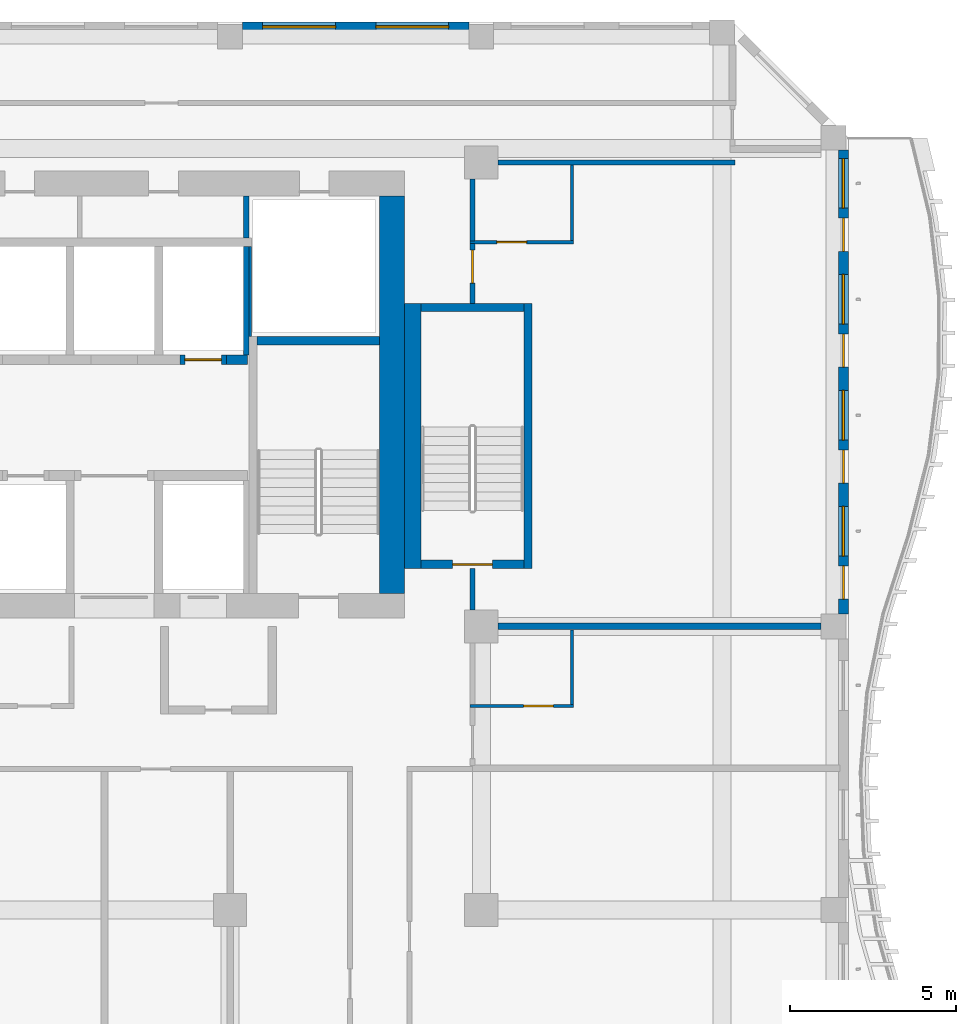
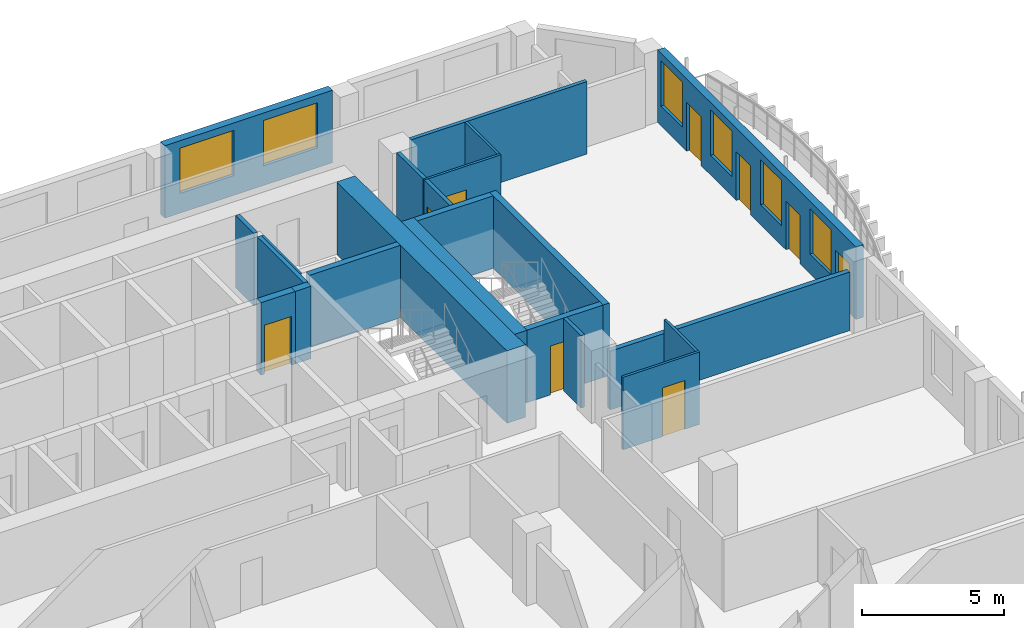
# One storey, part 9 of 22: 22 walls, 9 doors, 6 windows, 15 openings.
"""IFC4 building model written with IfcOpenShell, lengths in metres."""

import ifcopenshell
import ifcopenshell.guid

model = None  # the IFC model being written
_history = None  # IfcOwnerHistory: only IFC2X3 demands one
_inside = {}  # id of a spatial element -> (the spatial element, [elements in it])
_under = {}  # id of a project, library or spatial element -> (it, [spatial elements below it])
_declared = {}  # id of a project -> (the project, [libraries it declares])
_typed = {}  # id of a type object -> (the type object, [elements of that type])
_made_of = {}  # id of a material, layer set ... -> (it, [elements and type objects made of it])


def new_model(schema):
    """Start an empty IFC model of exactly this schema.

    Asked for "IFC4X3", IfcOpenShell would pick the latest addendum, in which some entities
    have other attributes; the version numbers below select the first issue.
    IFC2X3 requires an IfcOwnerHistory on every rooted entity: one is made here for all.
    """
    global model, _history
    if schema == "IFC4X3":
        model = ifcopenshell.file(schema_version=(4, 3, 0, 0))
    else:
        model = ifcopenshell.file(schema=schema)
    _inside.clear()
    _under.clear()
    _declared.clear()
    _typed.clear()
    _made_of.clear()
    _history = None
    if model.schema == "IFC2X3":
        org = make("IfcOrganization", Name="unknown")
        user = make(
            "IfcPersonAndOrganization",
            ThePerson=make("IfcPerson", FamilyName="unknown"),
            TheOrganization=org,
        )
        app = make(
            "IfcApplication",
            ApplicationDeveloper=org,
            Version="unknown",
            ApplicationFullName="unknown",
            ApplicationIdentifier="unknown",
        )
        _history = make(
            "IfcOwnerHistory",
            OwningUser=user,
            OwningApplication=app,
            ChangeAction="ADDED",
            CreationDate=0,
        )
    return model


def make(cls, **values):
    """One entity of the class cls with the attributes given. An attribute that is None is left unset."""
    return model.create_entity(
        cls, **{name: value for name, value in values.items() if value is not None}
    )


def rooted(cls, **values):
    """An entity with a GlobalId (a new one), such as an element, a storey or a relation."""
    return make(cls, GlobalId=ifcopenshell.guid.new(), OwnerHistory=_history, **values)


def si_unit(unit_type, name, prefix=None):
    """IfcSIUnit, for example si_unit("LENGTHUNIT", "METRE", prefix="MILLI")."""
    return make("IfcSIUnit", UnitType=unit_type, Prefix=prefix, Name=name)


def assignment(units):
    """IfcUnitAssignment: the units of a project."""
    return None if units is None else make("IfcUnitAssignment", Units=units)


def point(xyz):
    """IfcCartesianPoint."""
    return None if xyz is None else make("IfcCartesianPoint", Coordinates=xyz)


def direction(xyz):
    """IfcDirection."""
    return None if xyz is None else make("IfcDirection", DirectionRatios=xyz)


def frame(location, z_axis=None, x_axis=None):
    """IfcAxis2Placement3D, a coordinate frame: its origin and axes. An axis left out is left unset."""
    return make(
        "IfcAxis2Placement3D",
        Location=point(location),
        Axis=direction(z_axis),
        RefDirection=direction(x_axis),
    )


def frame_2d(location, x_axis=None):
    """IfcAxis2Placement2D, a coordinate frame in the plane: its origin and x axis."""
    return make(
        "IfcAxis2Placement2D", Location=point(location), RefDirection=direction(x_axis)
    )


def origin():
    """The frame at (0, 0, 0) with its axes left unset."""
    return frame((0.0, 0.0, 0.0))


def place(relative_to, where):
    """IfcLocalPlacement: puts the frame where relative to a parent placement (None: the world)."""
    return make(
        "IfcLocalPlacement", PlacementRelTo=relative_to, RelativePlacement=where
    )


def context(
    kind, dimensions, precision=None, world=None, true_north=None, identifier=None
):
    """IfcGeometricRepresentationContext, for example the 3D "Model" context."""
    return make(
        "IfcGeometricRepresentationContext",
        ContextIdentifier=identifier,
        ContextType=kind,
        CoordinateSpaceDimension=dimensions,
        Precision=precision,
        WorldCoordinateSystem=world,
        TrueNorth=true_north,
    )


def subcontext(parent, identifier, kind, view, scale=None):
    """IfcGeometricRepresentationSubContext, for example "Body" below "Model"."""
    return make(
        "IfcGeometricRepresentationSubContext",
        ContextIdentifier=identifier,
        ContextType=kind,
        ParentContext=parent,
        TargetScale=scale,
        TargetView=view,
    )


def project(units=None, contexts=None):
    """IfcProject with its units and contexts."""
    return rooted(
        "IfcProject",
        Name="project",
        RepresentationContexts=contexts,
        UnitsInContext=assignment(units),
    )


def spatial(cls, under=None, at=None, **own):
    """A site, building, storey or space (cls), placed at a placement, below another one or the project."""
    s = rooted(cls, ObjectPlacement=at, **own)
    if under is not None:
        _under.setdefault(under.id(), (under, []))[1].append(s)
    return s


def profile(cls, at=None, kind="AREA", **sizes):
    """A parametric profile (cls). Its sizes go by their IFC names, for example OverallWidth=200.0."""
    return make(cls, ProfileType=kind, Position=at, **sizes)


def rectangle(**sizes):
    """IfcRectangleProfileDef."""
    return profile("IfcRectangleProfileDef", **sizes)


def extrude(swept, where, along, depth):
    """IfcExtrudedAreaSolid: the profile swept, set in the frame where, extruded along a direction by depth."""
    return make(
        "IfcExtrudedAreaSolid",
        SweptArea=swept,
        Position=where,
        ExtrudedDirection=direction(along),
        Depth=depth,
    )


def shape(context_of_items, identifier, shape_type, items):
    """IfcShapeRepresentation: the items that make up one representation, for example the "Body"."""
    return make(
        "IfcShapeRepresentation",
        ContextOfItems=context_of_items,
        RepresentationIdentifier=identifier,
        RepresentationType=shape_type,
        Items=items,
    )


def source(mapping_origin, context_of_items, identifier, shape_type, items):
    """IfcRepresentationMap: a shape defined once, which mapped items show again and again."""
    return make(
        "IfcRepresentationMap",
        MappingOrigin=mapping_origin,
        MappedRepresentation=shape(context_of_items, identifier, shape_type, items),
    )


def transform(
    local_origin,
    x_axis=None,
    y_axis=None,
    z_axis=None,
    scale=None,
    scale2=None,
    scale3=None,
    uniform=True,
):
    """IfcCartesianTransformationOperator3D, or its non-uniform kind. x_axis, y_axis, z_axis: its Axis1, 2, 3."""
    if uniform:
        return make(
            "IfcCartesianTransformationOperator3D",
            Axis1=direction(x_axis),
            Axis2=direction(y_axis),
            LocalOrigin=point(local_origin),
            Scale=scale,
            Axis3=direction(z_axis),
        )
    return make(
        "IfcCartesianTransformationOperator3DnonUniform",
        Axis1=direction(x_axis),
        Axis2=direction(y_axis),
        LocalOrigin=point(local_origin),
        Scale=scale,
        Axis3=direction(z_axis),
        Scale2=scale2,
        Scale3=scale3,
    )


def mapped(mapping_source, mapping_target):
    """IfcMappedItem: shows the shape of a source again, moved by a transform."""
    return make(
        "IfcMappedItem", MappingSource=mapping_source, MappingTarget=mapping_target
    )


def material(Name=None, Category=None):
    """IfcMaterial."""
    return make("IfcMaterial", Name=Name, Category=Category)


def layer(
    of_material, thickness, ventilated=None, Name=None, Category=None, Priority=None
):
    """IfcMaterialLayer: one layer of a wall or slab, of a material (None: an air gap)."""
    return make(
        "IfcMaterialLayer",
        Material=of_material,
        LayerThickness=thickness,
        IsVentilated=ventilated,
        Name=Name,
        Category=Category,
        Priority=Priority,
    )


def layer_set(layers, Name=None):
    """IfcMaterialLayerSet."""
    return make("IfcMaterialLayerSet", MaterialLayers=layers, LayerSetName=Name)


def made_of(thing, what):
    """Note that an element or type object is made of a material, layer set ...; save() writes the relation."""
    if what is not None:
        _made_of.setdefault(what.id(), (what, []))[1].append(thing)
    return thing


def type_object(cls, material=None, **own):
    """A type object (cls), such as IfcWallType, which elements share."""
    return made_of(rooted(cls, **own), material)


def element(
    cls,
    number,
    at=None,
    inside=None,
    cuts=None,
    type_object=None,
    material=None,
    context=None,
    identifier="Body",
    shape_type=None,
    held_by="IfcProductDefinitionShape",
    body=None,
    shapes=None,
    **own,
):
    """One element of the class cls, such as IfcWall. Its Tag is "e" and its number.

    at: its placement. inside: the storey or other place that contains it. cuts: it is an
    opening in that element (IfcRelVoidsElement). A single representation is given by context,
    identifier, shape_type and body (its items); several are given by shapes. held_by: the class
    of the entity that holds the representations. save() writes the other relations.
    """
    e = rooted(cls, Tag="e%d" % number, ObjectPlacement=at, **own)
    if body is not None:
        shapes = [shape(context, identifier, shape_type, body)]
    if shapes is not None:
        e.Representation = make(held_by, Representations=shapes)
    if inside is not None:
        _inside.setdefault(inside.id(), (inside, []))[1].append(e)
    if cuts is not None:
        rooted(
            "IfcRelVoidsElement", RelatingBuildingElement=cuts, RelatedOpeningElement=e
        )
    if type_object is not None:
        _typed.setdefault(type_object.id(), (type_object, []))[1].append(e)
    return made_of(e, material)


def fill(opening, filler):
    """IfcRelFillsElement: the door or window that sits in an opening."""
    return rooted(
        "IfcRelFillsElement",
        RelatingOpeningElement=opening,
        RelatedBuildingElement=filler,
    )


def aggregate(whole, parts):
    """IfcRelAggregates: a whole, such as a stair, and the parts it consists of."""
    return rooted("IfcRelAggregates", RelatingObject=whole, RelatedObjects=parts)


def save(model, path):
    """Write the relations noted so far, then the file.

    IfcRelAggregates (storeys below a building ...), IfcRelContainedInSpatialStructure (elements
    in a storey), IfcRelDefinesByType, IfcRelAssociatesMaterial and IfcRelDeclares: one each for
    every whole, place, type object, material and project.
    """
    for whole, parts in _under.values():
        aggregate(whole, parts)
    for where, things in _inside.values():
        rooted(
            "IfcRelContainedInSpatialStructure",
            RelatedElements=things,
            RelatingStructure=where,
        )
    for kind, things in _typed.values():
        rooted("IfcRelDefinesByType", RelatedObjects=things, RelatingType=kind)
    for what, things in _made_of.values():
        rooted("IfcRelAssociatesMaterial", RelatedObjects=things, RelatingMaterial=what)
    for by, libraries in _declared.values():
        rooted("IfcRelDeclares", RelatingContext=by, RelatedDefinitions=libraries)
    model.write(path)


model = new_model("IFC4")

# Units and contexts
model_context = context("Model", 3, precision=1e-05, world=origin(), true_north=direction((0.0, 1.0)))
body_context = subcontext(model_context, "Body", "Model", "MODEL_VIEW")
ifc_project = project(units=[si_unit("LENGTHUNIT", "METRE"), si_unit("AREAUNIT", "SQUARE_METRE"), si_unit("VOLUMEUNIT", "CUBIC_METRE"), si_unit("PLANEANGLEUNIT", "RADIAN"), si_unit("MASSUNIT", "GRAM", prefix="KILO")], contexts=[model_context])

# Site, building, storey
site_placement = place(None, origin())
site = spatial("IfcSite", under=ifc_project, at=site_placement, CompositionType="ELEMENT")
building_placement = place(site_placement, origin())
building = spatial("IfcBuilding", under=site, at=building_placement, Name="Kilnfold Tower and Market Hall", CompositionType="ELEMENT")
storey_placement = place(building_placement, frame((0.0, 0.0, 213.5)))
storey = spatial("IfcBuildingStorey", under=building, at=storey_placement, Name="L52", CompositionType="ELEMENT", Elevation=213.5)

# Wall, opening, door
ifc_material_1 = material(Name="Gypsum board on steel studs", Category="steel")
ifc_layer_1 = layer(ifc_material_1, 0.14990234375)
ifc_layer_set_1 = layer_set([ifc_layer_1], Name="Gypsum board on steel studs")
wall_type_1 = type_object("IfcWallType", Name="WALL CORRIDOR 150", PredefinedType="PARTITIONING", material=ifc_layer_set_1)
wall_1_placement = place(storey_placement, frame((19.89990234375, 17.75, 0.0), z_axis=(0.0, 0.0, 1.0), x_axis=(0.0, 1.0, 0.0)))
wall_1 = element("IfcWall", 1, at=wall_1_placement, inside=storey, type_object=wall_type_1, Name="Partition LY31.20", PredefinedType="PARTITIONING", context=body_context, shape_type="SweptSolid", body=[
    extrude(rectangle(XDim=1.81005859375, YDim=0.14990234375, at=frame_2d((0.905029296875, 0.0))), origin(), (0.0, 0.0, 1.0), 3.1201171875),
])
opening_1_placement = place(wall_1_placement, frame((0.610107421875, 0.0, 0.0)))
opening_1 = element("IfcOpeningElement", 2, at=opening_1_placement, cuts=wall_1, Name="Opening D1", PredefinedType="OPENING", context=body_context, shape_type="SweptSolid", body=[
    extrude(rectangle(XDim=1.0, YDim=2.10009765625, at=frame_2d((0.5, 1.050048828125))), frame((0.0, 0.0849609375, 0.0), z_axis=(0.0, -1.0, 0.0), x_axis=(1.0, 0.0, 0.0)), (0.0, 0.0, 1.0), 0.169921875),
])
ifc_material_2 = material(Name="Timber veneer door leaf in steel frame", Category="steel")
door_type_1 = type_object("IfcDoorType", Name="DOOR ENTRY 1000 X2100", OperationType="NOTDEFINED", PredefinedType="DOOR", material=ifc_material_2)
door_1_placement = place(opening_1_placement, origin())
door_1 = element("IfcDoor", 3, at=door_1_placement, inside=storey, type_object=door_type_1, Name="Door D1", OperationType="SINGLE_SWING_LEFT", OverallHeight=2.10009765625, OverallWidth=1.0, PredefinedType="DOOR", context=body_context, shape_type="SweptSolid", body=[
    extrude(rectangle(XDim=1.0, YDim=2.10009765625, at=frame_2d((0.5, 1.050048828125))), frame((0.0, 0.02490234375, 0.0), z_axis=(0.0, -1.0, 0.0), x_axis=(1.0, 0.0, 0.0)), (0.0, 0.0, 1.0), 0.050048828125),
])
fill(opening_1, door_1)

# Walls
wall_2_placement = place(storey_placement, frame((19.89990234375, 8.5, 0.0), z_axis=(0.0, 0.0, 1.0), x_axis=(0.0, 1.0, 0.0)))
element("IfcWall", 4, at=wall_2_placement, inside=storey, type_object=wall_type_1, Name="Partition LY31.21", PredefinedType="PARTITIONING", context=body_context, shape_type="SweptSolid", body=[
    extrude(rectangle(XDim=1.25, YDim=0.14990234375, at=frame_2d((0.625, 0.0))), origin(), (0.0, 0.0, 1.0), 3.1201171875),
])
wall_3_placement = place(storey_placement, frame((20.6669921875, 22.0, 0.0), z_axis=(0.0, 0.0, 1.0), x_axis=(1.0, 0.0, 0.0)))
element("IfcWall", 5, at=wall_3_placement, inside=storey, type_object=wall_type_1, Name="Partition LY31.22", PredefinedType="PARTITIONING", context=body_context, shape_type="SweptSolid", body=[
    extrude(rectangle(XDim=7.157958984375, YDim=0.14990234375, at=frame_2d((3.5791015625, 0.0))), origin(), (0.0, 0.0, 1.0), 3.1201171875),
])
wall_4_placement = place(storey_placement, frame((19.89990234375, 19.639892578125, 0.0), z_axis=(0.0, 0.0, 1.0), x_axis=(0.0, 1.0, 0.0)))
element("IfcWall", 6, at=wall_4_placement, inside=storey, type_object=wall_type_1, Name="Partition LY31.23", PredefinedType="PARTITIONING", context=body_context, shape_type="SweptSolid", body=[
    extrude(rectangle(XDim=1.860107421875, YDim=0.14990234375, at=frame_2d((0.93017578125, 0.0))), origin(), (0.0, 0.0, 1.0), 3.1201171875),
])

# Wall, opening, door
ifc_material_3 = material(Name="Gypsum board on steel studs", Category="steel")
ifc_layer_2 = layer(ifc_material_3, 0.10009765625)
ifc_layer_set_2 = layer_set([ifc_layer_2], Name="Gypsum board on steel studs")
wall_type_2 = type_object("IfcWallType", Name="WALL PARTITION 100", PredefinedType="PARTITIONING", material=ifc_layer_set_2)
wall_5_placement = place(storey_placement, frame((22.951904296875, 5.60009765625, 0.0), z_axis=(0.0, 0.0, 1.0), x_axis=(-1.0, 0.0, 0.0)))
wall_5 = element("IfcWall", 7, at=wall_5_placement, inside=storey, type_object=wall_type_2, Name="Partition LY31.85", PredefinedType="PARTITIONING", context=body_context, shape_type="SweptSolid", body=[
    extrude(rectangle(XDim=3.125, YDim=0.10009765625, at=frame_2d((1.5625, 0.0))), origin(), (0.0, 0.0, 1.0), 3.1201171875),
])
opening_2_placement = place(wall_5_placement, frame((0.60595703125, 0.0, 0.0)))
opening_2 = element("IfcOpeningElement", 8, at=opening_2_placement, cuts=wall_5, Name="Opening D3", PredefinedType="OPENING", context=body_context, shape_type="SweptSolid", body=[
    extrude(rectangle(XDim=0.89990234375, YDim=2.10009765625, at=frame_2d((0.449951171875, 1.050048828125))), frame((0.0, 0.06005859375, 0.0), z_axis=(0.0, -1.0, 0.0), x_axis=(1.0, 0.0, 0.0)), (0.0, 0.0, 1.0), 0.1201171875),
])
ifc_material_4 = material(Name="Timber veneer door leaf in steel frame", Category="steel")
door_type_2 = type_object("IfcDoorType", Name="DOOR WC 900 X2100", OperationType="NOTDEFINED", PredefinedType="DOOR", material=ifc_material_4)
door_2_placement = place(opening_2_placement, origin())
door_2 = element("IfcDoor", 9, at=door_2_placement, inside=storey, type_object=door_type_2, Name="Door D3", OperationType="SINGLE_SWING_LEFT", OverallHeight=2.10009765625, OverallWidth=0.89990234375, PredefinedType="DOOR", context=body_context, shape_type="SweptSolid", body=[
    extrude(rectangle(XDim=0.89990234375, YDim=2.10009765625, at=frame_2d((0.449951171875, 1.050048828125))), frame((0.0, 0.02490234375, 0.0), z_axis=(0.0, -1.0, 0.0), x_axis=(1.0, 0.0, 0.0)), (0.0, 0.0, 1.0), 0.050048828125),
])
fill(opening_2, door_2)

# Wall
wall_6_placement = place(storey_placement, frame((22.902099609375, 5.64990234375, 0.0), z_axis=(0.0, 0.0, 1.0), x_axis=(0.0, 1.0, 0.0)))
element("IfcWall", 10, at=wall_6_placement, inside=storey, type_object=wall_type_2, Name="Partition LY31.86", PredefinedType="PARTITIONING", context=body_context, shape_type="SweptSolid", body=[
    extrude(rectangle(XDim=2.25, YDim=0.10009765625, at=frame_2d((1.125, 0.0))), origin(), (0.0, 0.0, 1.0), 3.1201171875),
])

# Wall, opening, door
wall_7_placement = place(storey_placement, frame((22.951904296875, 19.60009765625, 0.0), z_axis=(0.0, 0.0, 1.0), x_axis=(-1.0, 0.0, 0.0)))
wall_7 = element("IfcWall", 11, at=wall_7_placement, inside=storey, type_object=wall_type_2, Name="Partition LY31.89", PredefinedType="PARTITIONING", context=body_context, shape_type="SweptSolid", body=[
    extrude(rectangle(XDim=3.125, YDim=0.10009765625, at=frame_2d((1.5625, 0.0))), origin(), (0.0, 0.0, 1.0), 3.1201171875),
])
opening_3_placement = place(wall_7_placement, frame((1.4169921875, 0.0, 0.0)))
opening_3 = element("IfcOpeningElement", 12, at=opening_3_placement, cuts=wall_7, Name="Opening D3", PredefinedType="OPENING", context=body_context, shape_type="SweptSolid", body=[
    extrude(rectangle(XDim=0.89990234375, YDim=2.10009765625, at=frame_2d((0.449951171875, 1.050048828125))), frame((0.0, 0.06005859375, 0.0), z_axis=(0.0, -1.0, 0.0), x_axis=(1.0, 0.0, 0.0)), (0.0, 0.0, 1.0), 0.1201171875),
])
door_3_placement = place(opening_3_placement, origin())
door_3 = element("IfcDoor", 13, at=door_3_placement, inside=storey, type_object=door_type_2, Name="Door D3", OperationType="SINGLE_SWING_LEFT", OverallHeight=2.10009765625, OverallWidth=0.89990234375, PredefinedType="DOOR", context=body_context, shape_type="SweptSolid", body=[
    extrude(rectangle(XDim=0.89990234375, YDim=2.10009765625, at=frame_2d((0.449951171875, 1.050048828125))), frame((0.0, 0.02490234375, 0.0), z_axis=(0.0, -1.0, 0.0), x_axis=(1.0, 0.0, 0.0)), (0.0, 0.0, 1.0), 0.050048828125),
])
fill(opening_3, door_3)

# Walls
wall_8_placement = place(storey_placement, frame((22.902099609375, 19.64990234375, 0.0), z_axis=(0.0, 0.0, 1.0), x_axis=(0.0, 1.0, 0.0)))
element("IfcWall", 14, at=wall_8_placement, inside=storey, type_object=wall_type_2, Name="Partition LY31.90", PredefinedType="PARTITIONING", context=body_context, shape_type="SweptSolid", body=[
    extrude(rectangle(XDim=2.273193359375, YDim=0.10009765625, at=frame_2d((1.13671875, 0.0))), origin(), (0.0, 0.0, 1.0), 3.1201171875),
])
ifc_material_5 = material(Name="Gypsum board on steel studs", Category="steel")
ifc_layer_3 = layer(ifc_material_5, 0.199951171875)
ifc_layer_set_3 = layer_set([ifc_layer_3], Name="Gypsum board on steel studs")
wall_type_3 = type_object("IfcWallType", Name="WALL PARTY 200", PredefinedType="PARTITIONING", material=ifc_layer_set_3)
wall_9_placement = place(storey_placement, frame((20.6669921875, 8.0, 0.0), z_axis=(0.0, 0.0, 1.0), x_axis=(1.0, 0.0, 0.0)))
element("IfcWall", 15, at=wall_9_placement, inside=storey, type_object=wall_type_3, Name="Partition LY31.88", PredefinedType="PARTITIONING", context=body_context, shape_type="SweptSolid", body=[
    extrude(rectangle(XDim=9.758056640625, YDim=0.199951171875, at=frame_2d((4.87890625, 0.0))), origin(), (0.0, 0.0, 1.0), 2.52001953125),
])
ifc_material_6 = material(Name="Concrete C60", Category="concrete")
ifc_layer_4 = layer(ifc_material_6, 0.25)
ifc_layer_set_4 = layer_set([ifc_layer_4], Name="Concrete C60")
wall_type_4 = type_object("IfcWallType", Name="CORE WALL 250 C60", PredefinedType="SHEAR", material=ifc_layer_set_4)
shared_shape_1 = source(origin(), body_context, "Body", "SweptSolid", [
    extrude(rectangle(XDim=3.7001953125, YDim=0.25, at=frame_2d((1.85009765625, 0.0))), origin(), (0.0, 0.0, 1.0), 3.1201171875),
])
wall_10_placement = place(storey_placement, frame((13.39990234375, 16.625, 0.0), z_axis=(0.0, 0.0, 1.0), x_axis=(1.0, 0.0, 0.0)))
element("IfcWall", 16, at=wall_10_placement, inside=storey, type_object=wall_type_4, Name="Stair enclosure ST2", PredefinedType="SHEAR", context=body_context, shape_type="MappedRepresentation", body=[
    mapped(shared_shape_1, transform((0.0, 0.0, 0.0))),
])
shared_shape_2 = source(origin(), body_context, "Body", "SweptSolid", [
    extrude(rectangle(XDim=8.0, YDim=0.25, at=frame_2d((4.0, 0.0))), origin(), (0.0, 0.0, 1.0), 3.1201171875),
])
wall_11_placement = place(storey_placement, frame((21.574951171875, 9.75, 0.0), z_axis=(0.0, 0.0, 1.0), x_axis=(0.0, 1.0, 0.0)))
element("IfcWall", 17, at=wall_11_placement, inside=storey, type_object=wall_type_4, Name="Stair enclosure ST5", PredefinedType="SHEAR", context=body_context, shape_type="MappedRepresentation", body=[
    mapped(shared_shape_2, transform((0.0, 0.0, 0.0))),
])

# Wall, opening, door
shared_shape_3 = source(origin(), body_context, "Body", "SweptSolid", [
    extrude(rectangle(XDim=3.099853515625, YDim=0.25, at=frame_2d((1.5498046875, 0.0))), origin(), (0.0, 0.0, 1.0), 3.1201171875),
])
wall_12_placement = place(storey_placement, frame((18.35009765625, 9.875, 0.0), z_axis=(0.0, 0.0, 1.0), x_axis=(1.0, 0.0, 0.0)))
wall_12 = element("IfcWall", 18, at=wall_12_placement, inside=storey, type_object=wall_type_4, Name="Stair enclosure ST5", PredefinedType="SHEAR", context=body_context, shape_type="MappedRepresentation", body=[
    mapped(shared_shape_3, transform((0.0, 0.0, 0.0))),
])
opening_4_placement = place(wall_12_placement, frame((0.949951171875, 0.0, 0.0)))
opening_4 = element("IfcOpeningElement", 19, at=opening_4_placement, cuts=wall_12, Name="Opening SD1", PredefinedType="OPENING", context=body_context, shape_type="SweptSolid", body=[
    extrude(rectangle(XDim=1.199951171875, YDim=2.10009765625, at=frame_2d((0.60009765625, 1.050048828125))), frame((0.0, 0.135009765625, 0.0), z_axis=(0.0, -1.0, 0.0), x_axis=(1.0, 0.0, 0.0)), (0.0, 0.0, 1.0), 0.27001953125),
])
ifc_material_7 = material(Name="Steel door set with fire-resisting leaf", Category="steel")
door_type_3 = type_object("IfcDoorType", Name="STAIR FLOOR DOOR 1200X2100", OperationType="NOTDEFINED", PredefinedType="DOOR", material=ifc_material_7)
door_4_placement = place(opening_4_placement, origin())
door_4 = element("IfcDoor", 20, at=door_4_placement, inside=storey, type_object=door_type_3, Name="Exit stair ST5 door", OperationType="DOUBLE_DOOR_SINGLE_SWING", OverallHeight=2.10009765625, OverallWidth=1.199951171875, PredefinedType="DOOR", context=body_context, shape_type="SweptSolid", body=[
    extrude(rectangle(XDim=1.199951171875, YDim=2.10009765625, at=frame_2d((0.60009765625, 1.050048828125))), frame((0.0, 0.02490234375, 0.0), z_axis=(0.0, -1.0, 0.0), x_axis=(1.0, 0.0, 0.0)), (0.0, 0.0, 1.0), 0.050048828125),
])
fill(opening_4, door_4)

# Walls
wall_13_placement = place(storey_placement, frame((18.35009765625, 17.625, 0.0), z_axis=(0.0, 0.0, 1.0), x_axis=(1.0, 0.0, 0.0)))
element("IfcWall", 21, at=wall_13_placement, inside=storey, type_object=wall_type_4, Name="Stair enclosure ST5", PredefinedType="SHEAR", context=body_context, shape_type="MappedRepresentation", body=[
    mapped(shared_shape_3, transform((0.0, 0.0, 0.0))),
])
ifc_material_8 = material(Name="Concrete C60", Category="concrete")
ifc_layer_5 = layer(ifc_material_8, 0.300048828125)
ifc_layer_set_5 = layer_set([ifc_layer_5], Name="Concrete C60")
wall_type_5 = type_object("IfcWallType", Name="CORE WALL 300 C60", PredefinedType="SHEAR", material=ifc_layer_set_5)
shared_shape_4 = source(origin(), body_context, "Body", "SweptSolid", [
    extrude(rectangle(XDim=0.64013671875, YDim=0.300048828125, at=frame_2d((0.320068359375, 0.0))), origin(), (0.0, 0.0, 1.0), 3.1201171875),
])
wall_14_placement = place(storey_placement, frame((12.469970703125, 16.050048828125, 0.0), z_axis=(0.0, 0.0, 1.0), x_axis=(1.0, 0.0, 0.0)))
element("IfcWall", 22, at=wall_14_placement, inside=storey, type_object=wall_type_5, Name="Core spine wall", PredefinedType="SHEAR", context=body_context, shape_type="MappedRepresentation", body=[
    mapped(shared_shape_4, transform((0.0, 0.0, 0.0))),
])
ifc_material_9 = material(Name="Concrete C60", Category="concrete")
ifc_layer_6 = layer(ifc_material_9, 0.75)
ifc_layer_set_6 = layer_set([ifc_layer_6], Name="Concrete C60")
wall_type_6 = type_object("IfcWallType", Name="CORE WALL 750 C60", PredefinedType="SHEAR", material=ifc_layer_set_6)
shared_shape_5 = source(origin(), body_context, "Body", "SweptSolid", [
    extrude(rectangle(XDim=12.0, YDim=0.75, at=frame_2d((6.0, 0.0))), origin(), (0.0, 0.0, 1.0), 3.1201171875),
])
wall_15_placement = place(storey_placement, frame((17.47509765625, 9.0, 0.0), z_axis=(0.0, 0.0, 1.0), x_axis=(0.0, 1.0, 0.0)))
element("IfcWall", 23, at=wall_15_placement, inside=storey, type_object=wall_type_6, Name="Core outer wall east", PredefinedType="SHEAR", context=body_context, shape_type="MappedRepresentation", body=[
    mapped(shared_shape_5, transform((0.0, 0.0, 0.0))),
])
ifc_material_10 = material(Name="Concrete C60", Category="concrete")
ifc_layer_7 = layer(ifc_material_10, 0.5)
ifc_layer_set_7 = layer_set([ifc_layer_7], Name="Concrete C60")
wall_type_7 = type_object("IfcWallType", Name="CORE WALL 500 C60", PredefinedType="SHEAR", material=ifc_layer_set_7)
shared_shape_6 = source(origin(), body_context, "Body", "SweptSolid", [
    extrude(rectangle(XDim=8.0, YDim=0.5, at=frame_2d((4.0, 0.0))), origin(), (0.0, 0.0, 1.0), 3.1201171875),
])
wall_16_placement = place(storey_placement, frame((18.10009765625, 9.75, 0.0), z_axis=(0.0, 0.0, 1.0), x_axis=(0.0, 1.0, 0.0)))
element("IfcWall", 24, at=wall_16_placement, inside=storey, type_object=wall_type_7, Name="Stair enclosure ST5", PredefinedType="SHEAR", context=body_context, shape_type="MappedRepresentation", body=[
    mapped(shared_shape_6, transform((0.0, 0.0, 0.0))),
])

# Wall, openings, windows
ifc_material_11 = material(Name="Precast concrete C50/60", Category="concrete")
ifc_layer_8 = layer(ifc_material_11, 0.300048828125)
ifc_layer_set_8 = layer_set([ifc_layer_8], Name="Precast concrete C50/60")
wall_type_8 = type_object("IfcWallType", Name="PRECAST WALL 300", PredefinedType="SOLIDWALL", material=ifc_layer_set_8)
shared_shape_7 = source(origin(), body_context, "Body", "SweptSolid", [
    extrude(rectangle(XDim=6.83349609375, YDim=0.300048828125, at=frame_2d((3.416748046875, 0.0))), origin(), (0.0, 0.0, 1.0), 3.1201171875),
])
wall_17_placement = place(storey_placement, frame((19.791748046875, 26.10009765625, 0.0), z_axis=(0.0, 0.0, 1.0), x_axis=(-1.0, 0.0, 0.0)))
wall_17 = element("IfcWall", 25, at=wall_17_placement, inside=storey, type_object=wall_type_8, Name="External wall L52 N", PredefinedType="SOLIDWALL", context=body_context, shape_type="MappedRepresentation", body=[
    mapped(shared_shape_7, transform((0.0, 0.0, 0.0))),
])
opening_5_placement = place(wall_17_placement, frame((0.6083984375, 0.0, 0.85009765625)))
opening_5 = element("IfcOpeningElement", 26, at=opening_5_placement, cuts=wall_17, Name="Opening W2", PredefinedType="OPENING", context=body_context, shape_type="SweptSolid", body=[
    extrude(rectangle(XDim=2.199951171875, YDim=1.949951171875, at=frame_2d((1.10009765625, 0.97509765625))), frame((0.0, 0.16015625, 0.0), z_axis=(0.0, -1.0, 0.0), x_axis=(1.0, 0.0, 0.0)), (0.0, 0.0, 1.0), 0.320068359375),
])
opening_6_placement = place(wall_17_placement, frame((4.02490234375, 0.0, 0.85009765625)))
opening_6 = element("IfcOpeningElement", 27, at=opening_6_placement, cuts=wall_17, Name="Opening W2", PredefinedType="OPENING", context=body_context, shape_type="SweptSolid", body=[
    extrude(rectangle(XDim=2.199951171875, YDim=1.949951171875, at=frame_2d((1.10009765625, 0.97509765625))), frame((0.0, 0.16015625, 0.0), z_axis=(0.0, -1.0, 0.0), x_axis=(1.0, 0.0, 0.0)), (0.0, 0.0, 1.0), 0.320068359375),
])
ifc_material_12 = material(Name="Aluminium frame and double glazing", Category="aluminium")
window_type_1 = type_object("IfcWindowType", Name="WINDOW W2 2200X1950", PartitioningType="SINGLE_PANEL", PredefinedType="WINDOW", material=ifc_material_12)
window_1_placement = place(opening_5_placement, origin())
window_1 = element("IfcWindow", 28, at=window_1_placement, inside=storey, type_object=window_type_1, Name="Window W2 L52 N-1", OverallHeight=1.949951171875, OverallWidth=2.199951171875, PartitioningType="SINGLE_PANEL", PredefinedType="WINDOW", context=body_context, shape_type="SweptSolid", body=[
    extrude(rectangle(XDim=2.199951171875, YDim=1.949951171875, at=frame_2d((1.10009765625, 0.97509765625))), frame((0.0, 0.030029296875, 0.0), z_axis=(0.0, -1.0, 0.0), x_axis=(1.0, 0.0, 0.0)), (0.0, 0.0, 1.0), 0.06005859375),
])
fill(opening_5, window_1)
window_2_placement = place(opening_6_placement, origin())
window_2 = element("IfcWindow", 29, at=window_2_placement, inside=storey, type_object=window_type_1, Name="Window W2 L52 N-2", OverallHeight=1.949951171875, OverallWidth=2.199951171875, PartitioningType="SINGLE_PANEL", PredefinedType="WINDOW", context=body_context, shape_type="SweptSolid", body=[
    extrude(rectangle(XDim=2.199951171875, YDim=1.949951171875, at=frame_2d((1.10009765625, 0.97509765625))), frame((0.0, 0.030029296875, 0.0), z_axis=(0.0, -1.0, 0.0), x_axis=(1.0, 0.0, 0.0)), (0.0, 0.0, 1.0), 0.06005859375),
])
fill(opening_6, window_2)

# Wall, openings, doors, windows
shared_shape_8 = source(origin(), body_context, "Body", "SweptSolid", [
    extrude(rectangle(XDim=14.0, YDim=0.300048828125, at=frame_2d((7.0, 0.0))), origin(), (0.0, 0.0, 1.0), 3.1201171875),
])
wall_18_placement = place(storey_placement, frame((31.10009765625, 8.375, 0.0), z_axis=(0.0, 0.0, 1.0), x_axis=(0.0, 1.0, 0.0)))
wall_18 = element("IfcWall", 30, at=wall_18_placement, inside=storey, type_object=wall_type_8, Name="External wall L52 E", PredefinedType="SOLIDWALL", context=body_context, shape_type="MappedRepresentation", body=[
    mapped(shared_shape_8, transform((0.0, 0.0, 0.0))),
])
opening_7_placement = place(wall_18_placement, frame((1.75, 0.0, 0.85009765625)))
opening_7 = element("IfcOpeningElement", 31, at=opening_7_placement, cuts=wall_18, Name="Opening W4", PredefinedType="OPENING", context=body_context, shape_type="SweptSolid", body=[
    extrude(rectangle(XDim=1.5, YDim=1.949951171875, at=frame_2d((0.75, 0.97509765625))), frame((0.0, 0.16015625, 0.0), z_axis=(0.0, -1.0, 0.0), x_axis=(1.0, 0.0, 0.0)), (0.0, 0.0, 1.0), 0.320068359375),
])
opening_8_placement = place(wall_18_placement, frame((0.449951171875, 0.0, 0.0)))
opening_8 = element("IfcOpeningElement", 32, at=opening_8_placement, cuts=wall_18, Name="Opening BD1", PredefinedType="OPENING", context=body_context, shape_type="SweptSolid", body=[
    extrude(rectangle(XDim=1.0, YDim=2.10009765625, at=frame_2d((0.5, 1.050048828125))), frame((0.0, 0.16015625, 0.0), z_axis=(0.0, -1.0, 0.0), x_axis=(1.0, 0.0, 0.0)), (0.0, 0.0, 1.0), 0.320068359375),
])
opening_9_placement = place(wall_18_placement, frame((5.25, 0.0, 0.85009765625)))
opening_9 = element("IfcOpeningElement", 33, at=opening_9_placement, cuts=wall_18, Name="Opening W4", PredefinedType="OPENING", context=body_context, shape_type="SweptSolid", body=[
    extrude(rectangle(XDim=1.5, YDim=1.949951171875, at=frame_2d((0.75, 0.97509765625))), frame((0.0, 0.16015625, 0.0), z_axis=(0.0, -1.0, 0.0), x_axis=(1.0, 0.0, 0.0)), (0.0, 0.0, 1.0), 0.320068359375),
])
opening_10_placement = place(wall_18_placement, frame((3.949951171875, 0.0, 0.0)))
opening_10 = element("IfcOpeningElement", 34, at=opening_10_placement, cuts=wall_18, Name="Opening BD1", PredefinedType="OPENING", context=body_context, shape_type="SweptSolid", body=[
    extrude(rectangle(XDim=1.0, YDim=2.10009765625, at=frame_2d((0.5, 1.050048828125))), frame((0.0, 0.16015625, 0.0), z_axis=(0.0, -1.0, 0.0), x_axis=(1.0, 0.0, 0.0)), (0.0, 0.0, 1.0), 0.320068359375),
])
opening_11_placement = place(wall_18_placement, frame((8.75, 0.0, 0.85009765625)))
opening_11 = element("IfcOpeningElement", 35, at=opening_11_placement, cuts=wall_18, Name="Opening W4", PredefinedType="OPENING", context=body_context, shape_type="SweptSolid", body=[
    extrude(rectangle(XDim=1.5, YDim=1.949951171875, at=frame_2d((0.75, 0.97509765625))), frame((0.0, 0.16015625, 0.0), z_axis=(0.0, -1.0, 0.0), x_axis=(1.0, 0.0, 0.0)), (0.0, 0.0, 1.0), 0.320068359375),
])
opening_12_placement = place(wall_18_placement, frame((7.449951171875, 0.0, 0.0)))
opening_12 = element("IfcOpeningElement", 36, at=opening_12_placement, cuts=wall_18, Name="Opening BD1", PredefinedType="OPENING", context=body_context, shape_type="SweptSolid", body=[
    extrude(rectangle(XDim=1.0, YDim=2.10009765625, at=frame_2d((0.5, 1.050048828125))), frame((0.0, 0.16015625, 0.0), z_axis=(0.0, -1.0, 0.0), x_axis=(1.0, 0.0, 0.0)), (0.0, 0.0, 1.0), 0.320068359375),
])
opening_13_placement = place(wall_18_placement, frame((12.25, 0.0, 0.85009765625)))
opening_13 = element("IfcOpeningElement", 37, at=opening_13_placement, cuts=wall_18, Name="Opening W4", PredefinedType="OPENING", context=body_context, shape_type="SweptSolid", body=[
    extrude(rectangle(XDim=1.5, YDim=1.949951171875, at=frame_2d((0.75, 0.97509765625))), frame((0.0, 0.16015625, 0.0), z_axis=(0.0, -1.0, 0.0), x_axis=(1.0, 0.0, 0.0)), (0.0, 0.0, 1.0), 0.320068359375),
])
opening_14_placement = place(wall_18_placement, frame((10.949951171875, 0.0, 0.0)))
opening_14 = element("IfcOpeningElement", 38, at=opening_14_placement, cuts=wall_18, Name="Opening BD1", PredefinedType="OPENING", context=body_context, shape_type="SweptSolid", body=[
    extrude(rectangle(XDim=1.0, YDim=2.10009765625, at=frame_2d((0.5, 1.050048828125))), frame((0.0, 0.16015625, 0.0), z_axis=(0.0, -1.0, 0.0), x_axis=(1.0, 0.0, 0.0)), (0.0, 0.0, 1.0), 0.320068359375),
])
ifc_material_13 = material(Name="Aluminium frame and double glazing", Category="aluminium")
door_type_4 = type_object("IfcDoorType", Name="BALCONY DOOR 1000X2100", OperationType="NOTDEFINED", PredefinedType="DOOR", material=ifc_material_13)
door_5_placement = place(opening_8_placement, origin())
door_5 = element("IfcDoor", 39, at=door_5_placement, inside=storey, type_object=door_type_4, Name="Balcony door BD1 L52 E-1", OperationType="SINGLE_SWING_LEFT", OverallHeight=2.10009765625, OverallWidth=1.0, PredefinedType="DOOR", context=body_context, shape_type="SweptSolid", body=[
    extrude(rectangle(XDim=1.0, YDim=2.10009765625, at=frame_2d((0.5, 1.050048828125))), frame((0.0, 0.02490234375, 0.0), z_axis=(0.0, -1.0, 0.0), x_axis=(1.0, 0.0, 0.0)), (0.0, 0.0, 1.0), 0.050048828125),
])
fill(opening_8, door_5)
door_6_placement = place(opening_10_placement, origin())
door_6 = element("IfcDoor", 40, at=door_6_placement, inside=storey, type_object=door_type_4, Name="Balcony door BD1 L52 E-2", OperationType="SINGLE_SWING_RIGHT", OverallHeight=2.10009765625, OverallWidth=1.0, PredefinedType="DOOR", context=body_context, shape_type="SweptSolid", body=[
    extrude(rectangle(XDim=1.0, YDim=2.10009765625, at=frame_2d((0.5, 1.050048828125))), frame((0.0, 0.02490234375, 0.0), z_axis=(0.0, -1.0, 0.0), x_axis=(1.0, 0.0, 0.0)), (0.0, 0.0, 1.0), 0.050048828125),
])
fill(opening_10, door_6)
door_7_placement = place(opening_12_placement, origin())
door_7 = element("IfcDoor", 41, at=door_7_placement, inside=storey, type_object=door_type_4, Name="Balcony door BD1 L52 E-3", OperationType="SINGLE_SWING_LEFT", OverallHeight=2.10009765625, OverallWidth=1.0, PredefinedType="DOOR", context=body_context, shape_type="SweptSolid", body=[
    extrude(rectangle(XDim=1.0, YDim=2.10009765625, at=frame_2d((0.5, 1.050048828125))), frame((0.0, 0.02490234375, 0.0), z_axis=(0.0, -1.0, 0.0), x_axis=(1.0, 0.0, 0.0)), (0.0, 0.0, 1.0), 0.050048828125),
])
fill(opening_12, door_7)
door_8_placement = place(opening_14_placement, origin())
door_8 = element("IfcDoor", 42, at=door_8_placement, inside=storey, type_object=door_type_4, Name="Balcony door BD1 L52 E-4", OperationType="SINGLE_SWING_RIGHT", OverallHeight=2.10009765625, OverallWidth=1.0, PredefinedType="DOOR", context=body_context, shape_type="SweptSolid", body=[
    extrude(rectangle(XDim=1.0, YDim=2.10009765625, at=frame_2d((0.5, 1.050048828125))), frame((0.0, 0.02490234375, 0.0), z_axis=(0.0, -1.0, 0.0), x_axis=(1.0, 0.0, 0.0)), (0.0, 0.0, 1.0), 0.050048828125),
])
fill(opening_14, door_8)
ifc_material_14 = material(Name="Aluminium frame and double glazing", Category="aluminium")
window_type_2 = type_object("IfcWindowType", Name="WINDOW W4 1500X1950", PartitioningType="SINGLE_PANEL", PredefinedType="WINDOW", material=ifc_material_14)
window_3_placement = place(opening_7_placement, origin())
window_3 = element("IfcWindow", 43, at=window_3_placement, inside=storey, type_object=window_type_2, Name="Window W4 L52 E-1", OverallHeight=1.949951171875, OverallWidth=1.5, PartitioningType="SINGLE_PANEL", PredefinedType="WINDOW", context=body_context, shape_type="SweptSolid", body=[
    extrude(rectangle(XDim=1.5, YDim=1.949951171875, at=frame_2d((0.75, 0.97509765625))), frame((0.0, 0.030029296875, 0.0), z_axis=(0.0, -1.0, 0.0), x_axis=(1.0, 0.0, 0.0)), (0.0, 0.0, 1.0), 0.06005859375),
])
fill(opening_7, window_3)
window_4_placement = place(opening_9_placement, origin())
window_4 = element("IfcWindow", 44, at=window_4_placement, inside=storey, type_object=window_type_2, Name="Window W4 L52 E-2", OverallHeight=1.949951171875, OverallWidth=1.5, PartitioningType="SINGLE_PANEL", PredefinedType="WINDOW", context=body_context, shape_type="SweptSolid", body=[
    extrude(rectangle(XDim=1.5, YDim=1.949951171875, at=frame_2d((0.75, 0.97509765625))), frame((0.0, 0.030029296875, 0.0), z_axis=(0.0, -1.0, 0.0), x_axis=(1.0, 0.0, 0.0)), (0.0, 0.0, 1.0), 0.06005859375),
])
fill(opening_9, window_4)
window_5_placement = place(opening_11_placement, origin())
window_5 = element("IfcWindow", 45, at=window_5_placement, inside=storey, type_object=window_type_2, Name="Window W4 L52 E-3", OverallHeight=1.949951171875, OverallWidth=1.5, PartitioningType="SINGLE_PANEL", PredefinedType="WINDOW", context=body_context, shape_type="SweptSolid", body=[
    extrude(rectangle(XDim=1.5, YDim=1.949951171875, at=frame_2d((0.75, 0.97509765625))), frame((0.0, 0.030029296875, 0.0), z_axis=(0.0, -1.0, 0.0), x_axis=(1.0, 0.0, 0.0)), (0.0, 0.0, 1.0), 0.06005859375),
])
fill(opening_11, window_5)
window_6_placement = place(opening_13_placement, origin())
window_6 = element("IfcWindow", 46, at=window_6_placement, inside=storey, type_object=window_type_2, Name="Window W4 L52 E-4", OverallHeight=1.949951171875, OverallWidth=1.5, PartitioningType="SINGLE_PANEL", PredefinedType="WINDOW", context=body_context, shape_type="SweptSolid", body=[
    extrude(rectangle(XDim=1.5, YDim=1.949951171875, at=frame_2d((0.75, 0.97509765625))), frame((0.0, 0.030029296875, 0.0), z_axis=(0.0, -1.0, 0.0), x_axis=(1.0, 0.0, 0.0)), (0.0, 0.0, 1.0), 0.06005859375),
])
fill(opening_13, window_6)

# Wall, opening, door
ifc_material_15 = material(Name="Gypsum shaft wall system")
ifc_layer_9 = layer(ifc_material_15, 0.300048828125)
ifc_layer_set_9 = layer_set([ifc_layer_9], Name="Gypsum shaft wall system")
wall_type_9 = type_object("IfcWallType", Name="SHAFT WALL 300", PredefinedType="PARTITIONING", material=ifc_layer_set_9)
shared_shape_9 = source(origin(), body_context, "Body", "SweptSolid", [
    extrude(rectangle(XDim=1.39990234375, YDim=0.300048828125, at=frame_2d((0.699951171875, 0.0))), origin(), (0.0, 0.0, 1.0), 3.1201171875),
])
wall_19_placement = place(storey_placement, frame((11.070068359375, 16.050048828125, 0.0), z_axis=(0.0, 0.0, 1.0), x_axis=(1.0, 0.0, 0.0)))
wall_19 = element("IfcWall", 47, at=wall_19_placement, inside=storey, type_object=wall_type_9, Name="Lift shaft front wall", PredefinedType="PARTITIONING", context=body_context, shape_type="MappedRepresentation", body=[
    mapped(shared_shape_9, transform((0.0, 0.0, 0.0))),
])
opening_15_placement = place(wall_19_placement, frame((0.14990234375, 0.0, 0.0)))
opening_15 = element("IfcOpeningElement", 48, at=opening_15_placement, cuts=wall_19, Name="Opening LD2", PredefinedType="OPENING", context=body_context, shape_type="SweptSolid", body=[
    extrude(rectangle(XDim=1.10009765625, YDim=2.10009765625, at=frame_2d((0.550048828125, 1.050048828125))), frame((0.0, 0.16015625, 0.0), z_axis=(0.0, -1.0, 0.0), x_axis=(1.0, 0.0, 0.0)), (0.0, 0.0, 1.0), 0.320068359375),
])
ifc_material_16 = material(Name="Steel door set with fire-resisting leaf", Category="steel")
door_type_5 = type_object("IfcDoorType", Name="LANDING DOOR 1100X2100", OperationType="NOTDEFINED", PredefinedType="DOOR", material=ifc_material_16)
door_9_placement = place(opening_15_placement, origin())
door_9 = element("IfcDoor", 49, at=door_9_placement, inside=storey, type_object=door_type_5, Name="Landing door MR6", OperationType="DOUBLE_DOOR_SLIDING", OverallHeight=2.10009765625, OverallWidth=1.10009765625, PredefinedType="DOOR", context=body_context, shape_type="SweptSolid", body=[
    extrude(rectangle(XDim=1.10009765625, YDim=2.10009765625, at=frame_2d((0.550048828125, 1.050048828125))), frame((0.0, 0.02490234375, 0.0), z_axis=(0.0, -1.0, 0.0), x_axis=(1.0, 0.0, 0.0)), (0.0, 0.0, 1.0), 0.050048828125),
])
fill(opening_15, door_9)

# Walls
ifc_material_17 = material(Name="Gypsum shaft wall system")
ifc_layer_10 = layer(ifc_material_17, 0.1650390625)
ifc_layer_set_10 = layer_set([ifc_layer_10], Name="Gypsum shaft wall system")
wall_type_10 = type_object("IfcWallType", Name="SHAFT WALL 165", PredefinedType="PARTITIONING", material=ifc_layer_set_10)
shared_shape_10 = source(origin(), body_context, "Body", "SweptSolid", [
    extrude(rectangle(XDim=3.275146484375, YDim=0.1650390625, at=frame_2d((1.6376953125, 0.0))), origin(), (0.0, 0.0, 1.0), 3.1201171875),
])
wall_20_placement = place(storey_placement, frame((13.0673828125, 16.199951171875, 0.0), z_axis=(0.0, 0.0, 1.0), x_axis=(0.0, 1.0, 0.0)))
element("IfcWall", 50, at=wall_20_placement, inside=storey, type_object=wall_type_10, Name="Lift shaft wall", PredefinedType="PARTITIONING", context=body_context, shape_type="MappedRepresentation", body=[
    mapped(shared_shape_10, transform((0.0, 0.0, 0.0))),
])
shared_shape_11 = source(origin(), body_context, "Body", "SweptSolid", [
    extrude(rectangle(XDim=1.27490234375, YDim=0.1650390625, at=frame_2d((0.637451171875, 0.0))), origin(), (0.0, 0.0, 1.0), 3.1201171875),
])
wall_21_placement = place(storey_placement, frame((13.0673828125, 19.72509765625, 0.0), z_axis=(0.0, 0.0, 1.0), x_axis=(0.0, 1.0, 0.0)))
element("IfcWall", 51, at=wall_21_placement, inside=storey, type_object=wall_type_10, Name="Lift shaft wall", PredefinedType="PARTITIONING", context=body_context, shape_type="MappedRepresentation", body=[
    mapped(shared_shape_11, transform((0.0, 0.0, 0.0))),
])
ifc_material_18 = material(Name="Gypsum shaft wall system")
ifc_layer_11 = layer(ifc_material_18, 0.0849609375)
ifc_layer_set_11 = layer_set([ifc_layer_11], Name="Gypsum shaft wall system")
wall_type_11 = type_object("IfcWallType", Name="SHAFT WALL 85", PredefinedType="PARTITIONING", material=ifc_layer_set_11)
shared_shape_12 = source(origin(), body_context, "Body", "SweptSolid", [
    extrude(rectangle(XDim=2.72509765625, YDim=0.0849609375, at=frame_2d((1.362548828125, 0.0))), origin(), (0.0, 0.0, 1.0), 3.1201171875),
])
wall_22_placement = place(storey_placement, frame((13.1923828125, 16.75, 0.0), z_axis=(0.0, 0.0, 1.0), x_axis=(0.0, 1.0, 0.0)))
element("IfcWall", 52, at=wall_22_placement, inside=storey, type_object=wall_type_11, Name="Lift shaft wall", PredefinedType="PARTITIONING", context=body_context, shape_type="MappedRepresentation", body=[
    mapped(shared_shape_12, transform((0.0, 0.0, 0.0))),
])

save(model, "model.ifc")
